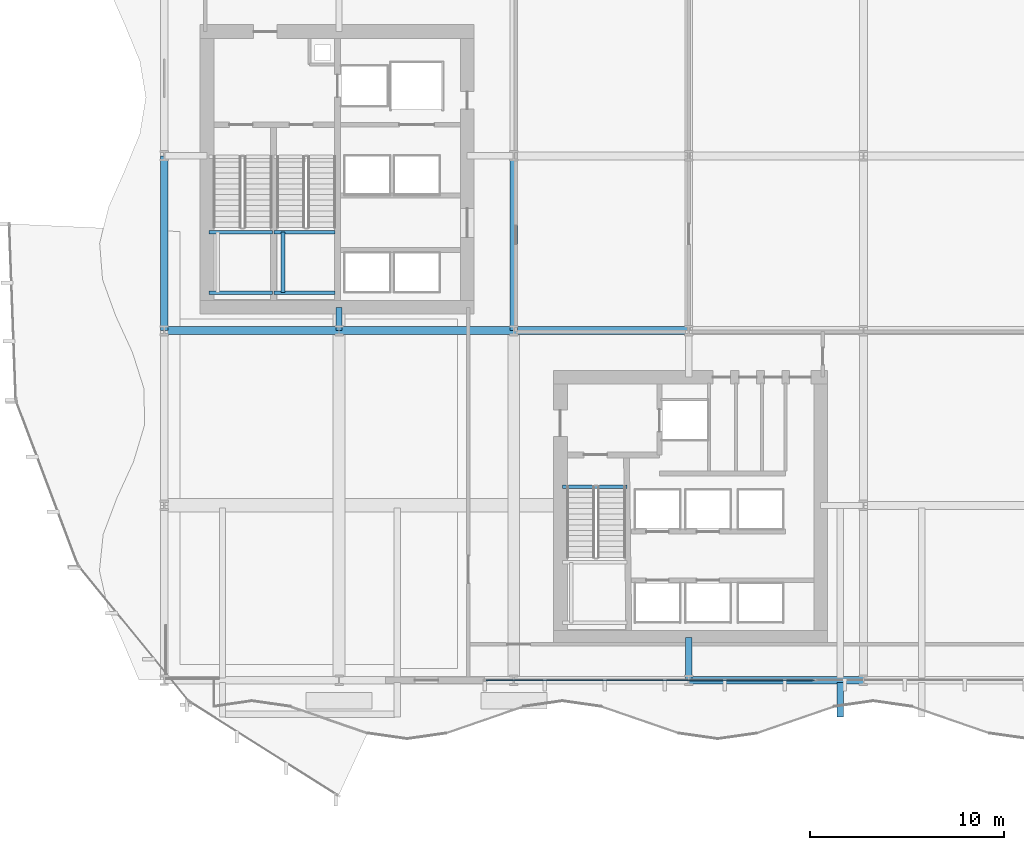
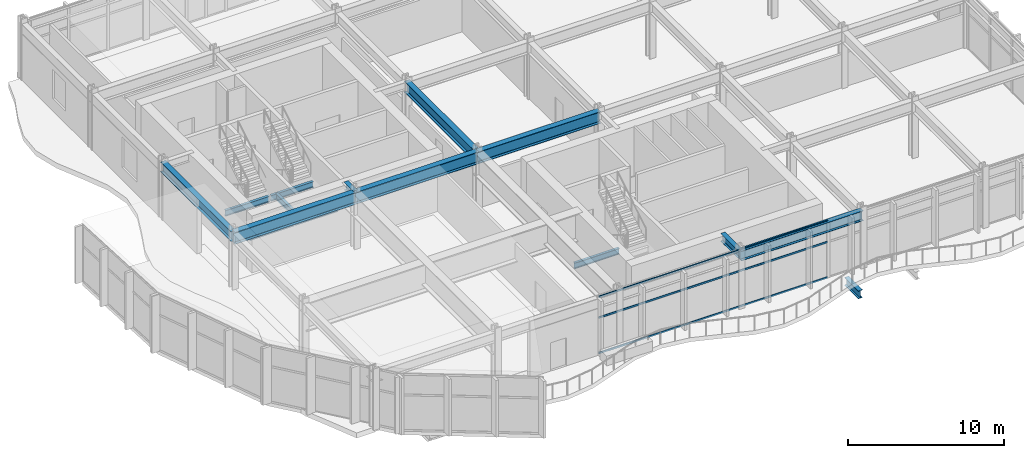
# One storey, part 7 of 31: 15 beams, 3 members, 1 element without a shape of its own.
"""IFC4 building model written with IfcOpenShell, lengths in metres."""

from ifc_helpers import new_model, si_unit, direction, frame, origin, origin_2d, place, context, subcontext, project, spatial, hollow_rectangle, i_section, extrude, material, layer, layer_set, material_profile, profile_set, type_object, element, aggregate, save


model = new_model("IFC4")

# Units and contexts
model_context = context("Model", 3, precision=1e-05, world=origin(), true_north=direction((0.0, 1.0)))
body_context = subcontext(model_context, "Body", "Model", "MODEL_VIEW")
ifc_project = project(units=[si_unit("LENGTHUNIT", "METRE"), si_unit("AREAUNIT", "SQUARE_METRE"), si_unit("VOLUMEUNIT", "CUBIC_METRE"), si_unit("PLANEANGLEUNIT", "RADIAN"), si_unit("MASSUNIT", "GRAM", prefix="KILO")], contexts=[model_context])

# Site, building, storey
site_placement = place(None, origin())
site = spatial("IfcSite", under=ifc_project, at=site_placement, CompositionType="ELEMENT")
building_placement = place(site_placement, origin())
building = spatial("IfcBuilding", under=site, at=building_placement, Name="Solvaryn Broadcast Tower", CompositionType="ELEMENT")
storey_placement = place(building_placement, frame((0.0, 0.0, 26.0)))
storey = spatial("IfcBuildingStorey", under=building, at=storey_placement, Name="L05", CompositionType="ELEMENT", Elevation=26.0)

# Beams
ifc_material_1 = material(Name="Steel ASTM A992 Grade 50", Category="steel")
ifc_material_profile_1 = material_profile(ifc_material_1, i_section(OverallWidth=0.323974609375, OverallDepth=0.611083984375, WebThickness=0.0126953125, FlangeThickness=0.01904296875, FilletRadius=0.014892578125, at=origin_2d()))
ifc_profile_set_1 = profile_set([ifc_material_profile_1], Name="Steel ASTM A992 Grade 50")
beam_type_1 = type_object("IfcBeamType", Name="BM-B1-W24X104", PredefinedType="BEAM", material=ifc_profile_set_1)
beam_1_placement = place(storey_placement, frame((36.0, 9.0, 4.134521484375), z_axis=(0.0, 1.0, 0.0), x_axis=(-1.0, 0.0, 0.0)))
element("IfcBeam", 1, at=beam_1_placement, inside=storey, type_object=beam_type_1, Name="L05 Core Tie Beam CTE1", PredefinedType="BEAM", context=body_context, shape_type="SweptSolid", body=[
    extrude(i_section(OverallWidth=0.323974609375, OverallDepth=0.611083984375, WebThickness=0.0126953125, FlangeThickness=0.01904296875, FilletRadius=0.014892578125, at=origin_2d()), origin(), (0.0, 0.0, 1.0), 2.199951171875),
])
beam_2_placement = place(storey_placement, frame((18.0, 27.0, 4.134521484375), z_axis=(0.0, 1.0, 0.0), x_axis=(-1.0, 0.0, 0.0)))
element("IfcBeam", 2, at=beam_2_placement, inside=storey, type_object=beam_type_1, Name="L05 Core Tie Beam CTW4", PredefinedType="BEAM", context=body_context, shape_type="SweptSolid", body=[
    extrude(i_section(OverallWidth=0.323974609375, OverallDepth=0.611083984375, WebThickness=0.0126953125, FlangeThickness=0.01904296875, FilletRadius=0.014892578125, at=origin_2d()), origin(), (0.0, 0.0, 1.0), 1.199951171875),
])
ifc_material_2 = material(Name="Steel ASTM A992 Grade 50", Category="steel")
ifc_material_profile_2 = material_profile(ifc_material_2, i_section(OverallWidth=0.18994140625, OverallDepth=0.45703125, WebThickness=0.009033203125, FlangeThickness=0.014404296875, FilletRadius=0.011962890625, at=origin_2d()))
ifc_profile_set_2 = profile_set([ifc_material_profile_2], Name="Steel ASTM A992 Grade 50")
beam_type_2 = type_object("IfcBeamType", Name="BM-B4-W18X50", PredefinedType="BEAM", material=ifc_profile_set_2)
for number, where, z_axis, x_axis, name in (
    (3, (11.300048828125, 28.949951171875, 1.971435546875), (1.0, 0.0, 0.0), (0.0, 1.0, 0.0), "L05 ST1 Landing Support Beam 1A"),
    (4, (11.300048828125, 32.070068359375, 1.971435546875), (1.0, 0.0, 0.0), (0.0, 1.0, 0.0), "L05 ST1 Landing Support Beam 1B"),
):
    element("IfcBeam", number, at=place(storey_placement, frame(where, z_axis=z_axis, x_axis=x_axis)), inside=storey, type_object=beam_type_2, Name=name, PredefinedType="BEAM", context=body_context, shape_type="SweptSolid", body=[
        extrude(i_section(OverallWidth=0.18994140625, OverallDepth=0.45703125, WebThickness=0.009033203125, FlangeThickness=0.014404296875, FilletRadius=0.011962890625, at=origin_2d()), origin(), (0.0, 0.0, 1.0), 3.280029296875),
    ])
for number, where, z_axis, x_axis, name in (
    (5, (14.659912109375, 28.949951171875, 1.971435546875), (1.0, 0.0, 0.0), (0.0, 1.0, 0.0), "L05 ST2 Landing Support Beam 1A"),
    (6, (14.659912109375, 32.070068359375, 1.971435546875), (1.0, 0.0, 0.0), (0.0, 1.0, 0.0), "L05 ST2 Landing Support Beam 1B"),
):
    element("IfcBeam", number, at=place(storey_placement, frame(where, z_axis=z_axis, x_axis=x_axis)), inside=storey, type_object=beam_type_2, Name=name, PredefinedType="BEAM", context=body_context, shape_type="SweptSolid", body=[
        extrude(i_section(OverallWidth=0.18994140625, OverallDepth=0.45703125, WebThickness=0.009033203125, FlangeThickness=0.014404296875, FilletRadius=0.011962890625, at=origin_2d()), origin(), (0.0, 0.0, 1.0), 3.14013671875),
    ])
beam_3_placement = place(storey_placement, frame((15.110107421875, 28.949951171875, 1.971435546875), z_axis=(0.0, 1.0, 0.0), x_axis=(-1.0, 0.0, 0.0)))
element("IfcBeam", 7, at=beam_3_placement, inside=storey, type_object=beam_type_2, Name="L05 ST2 Landing Cross Stringer 1C", PredefinedType="BEAM", context=body_context, shape_type="SweptSolid", body=[
    extrude(i_section(OverallWidth=0.18994140625, OverallDepth=0.45703125, WebThickness=0.009033203125, FlangeThickness=0.014404296875, FilletRadius=0.011962890625, at=origin_2d()), origin(), (0.0, 0.0, 1.0), 3.1201171875),
])
beam_4_placement = place(storey_placement, frame((29.5, 18.9599609375, -0.548583984375), z_axis=(1.0, 0.0, 0.0), x_axis=(0.0, 1.0, 0.0)))
element("IfcBeam", 8, at=beam_4_placement, inside=storey, type_object=beam_type_2, Name="L05 ST3 Stair Well Trimmer Beam", PredefinedType="BEAM", context=body_context, shape_type="SweptSolid", body=[
    extrude(i_section(OverallWidth=0.18994140625, OverallDepth=0.45703125, WebThickness=0.009033203125, FlangeThickness=0.014404296875, FilletRadius=0.011962890625, at=origin_2d()), origin(), (0.0, 0.0, 1.0), 3.320068359375),
])
ifc_material_3 = material(Name="Steel ASTM A992 Grade 50", Category="steel")
ifc_material_profile_3 = material_profile(ifc_material_3, i_section(OverallWidth=0.323974609375, OverallDepth=0.611083984375, WebThickness=0.0126953125, FlangeThickness=0.01904296875, FilletRadius=0.014892578125, at=origin_2d()))
ifc_profile_set_3 = profile_set([ifc_material_profile_3], Name="Steel ASTM A992 Grade 50")
beam_type_3 = type_object("IfcBeamType", Name="BM-CANT-TER", PredefinedType="BEAM", material=ifc_profile_set_3)
beam_5_placement = place(storey_placement, frame((43.800048828125, 8.875, -0.62548828125), z_axis=(0.0, -1.0, 0.0), x_axis=(1.0, 0.0, 0.0)))
element("IfcBeam", 9, at=beam_5_placement, inside=storey, type_object=beam_type_3, Name="L05 Terrace Cantilever Beam X43.8", PredefinedType="BEAM", context=body_context, shape_type="SweptSolid", body=[
    extrude(i_section(OverallWidth=0.323974609375, OverallDepth=0.611083984375, WebThickness=0.0126953125, FlangeThickness=0.01904296875, FilletRadius=0.014892578125, at=origin_2d()), origin(), (0.0, 0.0, 1.0), 1.77490234375),
])
ifc_material_4 = material(Name="Steel ASTM A992 Grade 50", Category="steel")
ifc_material_profile_4 = material_profile(ifc_material_4, i_section(OverallWidth=0.41796875, OverallDepth=0.927001953125, WebThickness=0.019287109375, FlangeThickness=0.031982421875, FilletRadius=0.02392578125, at=origin_2d()))
ifc_profile_set_4 = profile_set([ifc_material_profile_4], Name="Steel ASTM A992 Grade 50")
beam_type_4 = type_object("IfcBeamType", Name="BM-G2-W36X231", PredefinedType="BEAM", material=ifc_profile_set_4)
for number, where, z_axis, x_axis, name in (
    (10, (9.0, 27.0, 3.9765625), (1.0, 0.0, 0.0), (0.0, 1.0, 0.0), "L05 Primary Beam X (9-18 @ Y=27)"),
    (11, (18.0, 27.0, 3.9765625), (1.0, 0.0, 0.0), (0.0, 1.0, 0.0), "L05 Primary Beam X (18-27 @ Y=27)"),
    (12, (27.0, 27.0, 3.9765625), (1.0, 0.0, 0.0), (0.0, 1.0, 0.0), "L05 Primary Beam X (27-36 @ Y=27)"),
):
    element("IfcBeam", number, at=place(storey_placement, frame(where, z_axis=z_axis, x_axis=x_axis)), inside=storey, type_object=beam_type_4, Name=name, PredefinedType="BEAM", context=body_context, shape_type="SweptSolid", body=[
        extrude(i_section(OverallWidth=0.41796875, OverallDepth=0.927001953125, WebThickness=0.019287109375, FlangeThickness=0.031982421875, FilletRadius=0.02392578125, at=origin_2d()), origin(), (0.0, 0.0, 1.0), 9.0),
    ])
ifc_material_5 = material(Name="Steel ASTM A992 Grade 50", Category="steel")
ifc_material_profile_5 = material_profile(ifc_material_5, i_section(OverallWidth=0.39990234375, OverallDepth=0.85498046875, WebThickness=0.018310546875, FlangeThickness=0.029296875, FilletRadius=0.02001953125, at=origin_2d()))
ifc_profile_set_5 = profile_set([ifc_material_profile_5], Name="Steel ASTM A992 Grade 50")
beam_type_5 = type_object("IfcBeamType", Name="BM-G3-W33X201", PredefinedType="BEAM", material=ifc_profile_set_5)
beam_6_placement = place(storey_placement, frame((27.0, 27.0, 4.012451171875), z_axis=(0.0, 1.0, 0.0), x_axis=(-1.0, 0.0, 0.0)))
element("IfcBeam", 13, at=beam_6_placement, inside=storey, type_object=beam_type_5, Name="L05 Primary Beam Y (27-36 @ X=27)", PredefinedType="BEAM", context=body_context, shape_type="SweptSolid", body=[
    extrude(i_section(OverallWidth=0.39990234375, OverallDepth=0.85498046875, WebThickness=0.018310546875, FlangeThickness=0.029296875, FilletRadius=0.02001953125, at=origin_2d()), origin(), (0.0, 0.0, 1.0), 9.0),
])
ifc_material_6 = material(Name="Steel ASTM A992 Grade 50", Category="steel")
ifc_material_profile_6 = material_profile(ifc_material_6, i_section(OverallWidth=0.381103515625, OverallDepth=0.77294921875, WebThickness=0.0166015625, FlangeThickness=0.027099609375, FilletRadius=0.01806640625, at=origin_2d()))
ifc_profile_set_6 = profile_set([ifc_material_profile_6], Name="Steel ASTM A992 Grade 50")
beam_type_6 = type_object("IfcBeamType", Name="BM-SP1-W30X173", PredefinedType="USERDEFINED", material=ifc_profile_set_6)
for number, where, z_axis, x_axis, name in (
    (14, (36.0, 9.0, 4.053466796875), (1.0, 0.0, 0.0), (0.0, 1.0, 0.0), "L05 Spandrel Beam X (36-45 @ Y=9)"),
    (15, (9.0, 27.0, 4.053466796875), (0.0, 1.0, 0.0), (-1.0, 0.0, 0.0), "L05 Spandrel Beam Y (27-36 @ X=9)"),
):
    element("IfcBeam", number, at=place(storey_placement, frame(where, z_axis=z_axis, x_axis=x_axis)), inside=storey, type_object=beam_type_6, Name=name, ObjectType="SPANDREL", PredefinedType="USERDEFINED", context=body_context, shape_type="SweptSolid", body=[
        extrude(i_section(OverallWidth=0.381103515625, OverallDepth=0.77294921875, WebThickness=0.0166015625, FlangeThickness=0.027099609375, FilletRadius=0.01806640625, at=origin_2d()), origin(), (0.0, 0.0, 1.0), 9.0),
    ])

# Curtain wall, members
ifc_material_7 = material(Name="Aluminium and Terracotta Unitised Curtain Wall", Category="masonry")
ifc_layer = layer(ifc_material_7, 0.219970703125)
ifc_layer_set = layer_set([ifc_layer], Name="CW-SYS1-PODIUM")
curtain_wall_type = type_object("IfcCurtainWallType", Name="CW-SYS1-PODIUM", PredefinedType="NOTDEFINED", material=ifc_layer_set)
curtain_wall_placement = place(storey_placement, origin())
curtain_wall = element("IfcCurtainWall", 16, at=curtain_wall_placement, inside=storey, type_object=curtain_wall_type, Name="L05 Podium Curtain Wall S1", PredefinedType="NOTDEFINED")
ifc_material_8 = material(Name="Anodised Aluminium 6063-T6", Category="aluminium")
ifc_material_profile_7 = material_profile(ifc_material_8, hollow_rectangle(XDim=0.06494140625, YDim=0.14990234375, WallThickness=0.00390625, InnerFilletRadius=0.00390625, OuterFilletRadius=0.008056640625, at=origin_2d()))
ifc_profile_set_7 = profile_set([ifc_material_profile_7], Name="Anodised Aluminium 6063-T6")
member_type = type_object("IfcMemberType", Name="CW-TRN-150", PredefinedType="USERDEFINED", material=ifc_profile_set_7)
member_1_placement = place(storey_placement, frame((42.469970703125, 9.0, 0.030029296875), z_axis=(-1.0, 0.0, 0.0), x_axis=(0.0, -1.0, 0.0)))
member_1 = element("IfcMember", 17, at=member_1_placement, type_object=member_type, Name="CWS1 transom 2.1", ObjectType="TRANSOM", PredefinedType="USERDEFINED", context=body_context, shape_type="SweptSolid", body=[
    extrude(hollow_rectangle(XDim=0.06494140625, YDim=0.14990234375, WallThickness=0.00390625, InnerFilletRadius=0.00390625, OuterFilletRadius=0.008056640625, at=origin_2d()), origin(), (0.0, 0.0, 1.0), 16.909912109375),
])
member_2_placement = place(storey_placement, frame((42.469970703125, 9.0, 2.800048828125), z_axis=(-1.0, 0.0, 0.0), x_axis=(0.0, -1.0, 0.0)))
member_2 = element("IfcMember", 18, at=member_2_placement, type_object=member_type, Name="CWS1 transom 2.2", ObjectType="TRANSOM", PredefinedType="USERDEFINED", context=body_context, shape_type="SweptSolid", body=[
    extrude(hollow_rectangle(XDim=0.06494140625, YDim=0.14990234375, WallThickness=0.00390625, InnerFilletRadius=0.00390625, OuterFilletRadius=0.008056640625, at=origin_2d()), origin(), (0.0, 0.0, 1.0), 16.909912109375),
])
member_3_placement = place(storey_placement, frame((42.469970703125, 9.0, 4.409912109375), z_axis=(-1.0, 0.0, 0.0), x_axis=(0.0, -1.0, 0.0)))
member_3 = element("IfcMember", 19, at=member_3_placement, type_object=member_type, Name="CWS1 transom 2.3", ObjectType="TRANSOM", PredefinedType="USERDEFINED", context=body_context, shape_type="SweptSolid", body=[
    extrude(hollow_rectangle(XDim=0.06494140625, YDim=0.14990234375, WallThickness=0.00390625, InnerFilletRadius=0.00390625, OuterFilletRadius=0.008056640625, at=origin_2d()), origin(), (0.0, 0.0, 1.0), 16.909912109375),
])
aggregate(curtain_wall, [member_1, member_2, member_3])

save(model, "model.ifc")
